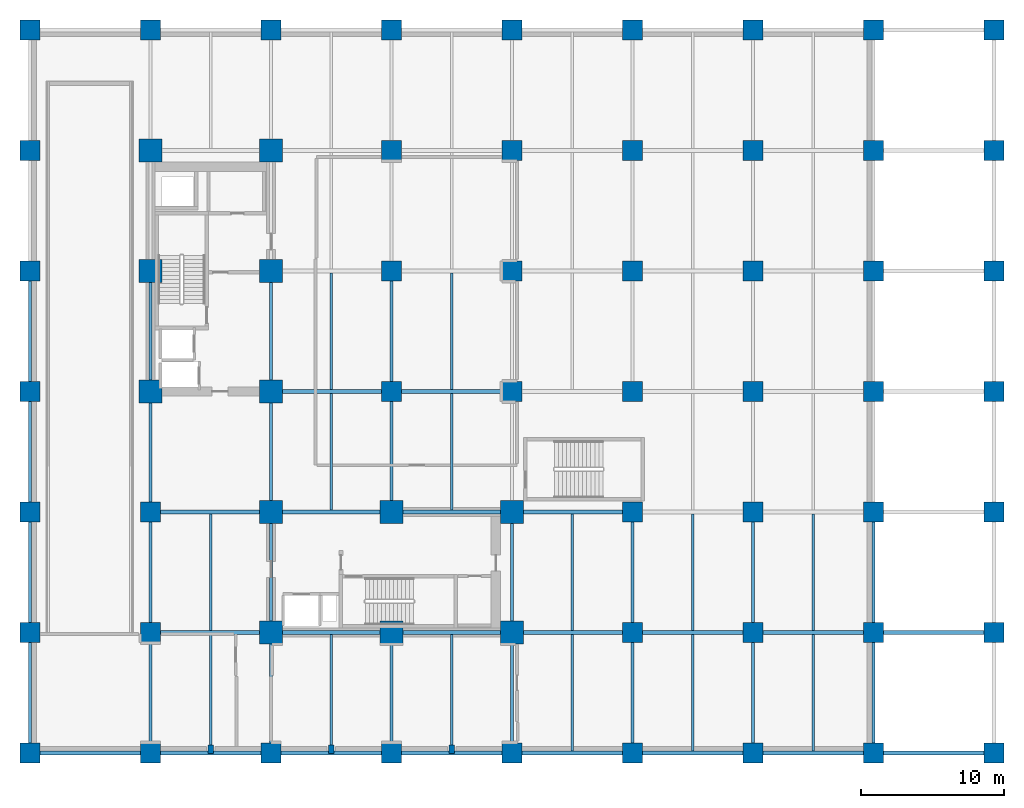
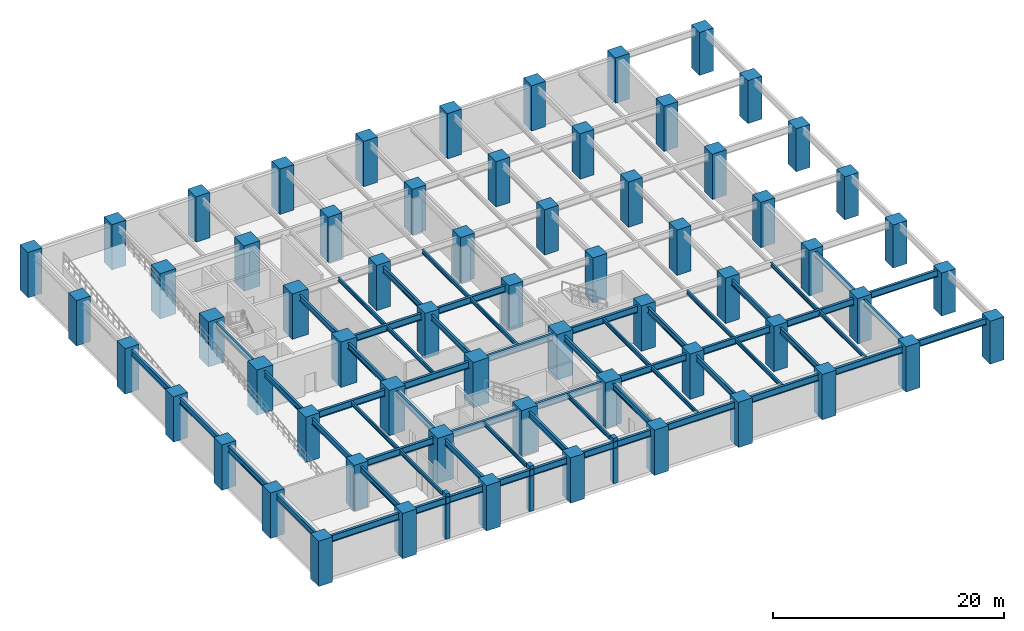
# One storey, part 1 of 7: 66 columns, 58 beams.
"""IFC4 building model written with IfcOpenShell, lengths in metres."""

import ifcopenshell
import ifcopenshell.guid

model = None  # the IFC model being written
_history = None  # IfcOwnerHistory: only IFC2X3 demands one
_inside = {}  # id of a spatial element -> (the spatial element, [elements in it])
_under = {}  # id of a project, library or spatial element -> (it, [spatial elements below it])
_declared = {}  # id of a project -> (the project, [libraries it declares])
_typed = {}  # id of a type object -> (the type object, [elements of that type])
_made_of = {}  # id of a material, layer set ... -> (it, [elements and type objects made of it])


def new_model(schema):
    """Start an empty IFC model of exactly this schema.

    Asked for "IFC4X3", IfcOpenShell would pick the latest addendum, in which some entities
    have other attributes; the version numbers below select the first issue.
    IFC2X3 requires an IfcOwnerHistory on every rooted entity: one is made here for all.
    """
    global model, _history
    if schema == "IFC4X3":
        model = ifcopenshell.file(schema_version=(4, 3, 0, 0))
    else:
        model = ifcopenshell.file(schema=schema)
    _inside.clear()
    _under.clear()
    _declared.clear()
    _typed.clear()
    _made_of.clear()
    _history = None
    if model.schema == "IFC2X3":
        org = make("IfcOrganization", Name="unknown")
        user = make(
            "IfcPersonAndOrganization",
            ThePerson=make("IfcPerson", FamilyName="unknown"),
            TheOrganization=org,
        )
        app = make(
            "IfcApplication",
            ApplicationDeveloper=org,
            Version="unknown",
            ApplicationFullName="unknown",
            ApplicationIdentifier="unknown",
        )
        _history = make(
            "IfcOwnerHistory",
            OwningUser=user,
            OwningApplication=app,
            ChangeAction="ADDED",
            CreationDate=0,
        )
    return model


def make(cls, **values):
    """One entity of the class cls with the attributes given. An attribute that is None is left unset."""
    return model.create_entity(
        cls, **{name: value for name, value in values.items() if value is not None}
    )


def rooted(cls, **values):
    """An entity with a GlobalId (a new one), such as an element, a storey or a relation."""
    return make(cls, GlobalId=ifcopenshell.guid.new(), OwnerHistory=_history, **values)


def si_unit(unit_type, name, prefix=None):
    """IfcSIUnit, for example si_unit("LENGTHUNIT", "METRE", prefix="MILLI")."""
    return make("IfcSIUnit", UnitType=unit_type, Prefix=prefix, Name=name)


def assignment(units):
    """IfcUnitAssignment: the units of a project."""
    return None if units is None else make("IfcUnitAssignment", Units=units)


def point(xyz):
    """IfcCartesianPoint."""
    return None if xyz is None else make("IfcCartesianPoint", Coordinates=xyz)


def direction(xyz):
    """IfcDirection."""
    return None if xyz is None else make("IfcDirection", DirectionRatios=xyz)


def frame(location, z_axis=None, x_axis=None):
    """IfcAxis2Placement3D, a coordinate frame: its origin and axes. An axis left out is left unset."""
    return make(
        "IfcAxis2Placement3D",
        Location=point(location),
        Axis=direction(z_axis),
        RefDirection=direction(x_axis),
    )


def frame_2d(location, x_axis=None):
    """IfcAxis2Placement2D, a coordinate frame in the plane: its origin and x axis."""
    return make(
        "IfcAxis2Placement2D", Location=point(location), RefDirection=direction(x_axis)
    )


def origin():
    """The frame at (0, 0, 0) with its axes left unset."""
    return frame((0.0, 0.0, 0.0))


def origin_2d():
    """The frame at (0, 0) in the plane with its x axis left unset."""
    return frame_2d((0.0, 0.0))


def place(relative_to, where):
    """IfcLocalPlacement: puts the frame where relative to a parent placement (None: the world)."""
    return make(
        "IfcLocalPlacement", PlacementRelTo=relative_to, RelativePlacement=where
    )


def context(
    kind, dimensions, precision=None, world=None, true_north=None, identifier=None
):
    """IfcGeometricRepresentationContext, for example the 3D "Model" context."""
    return make(
        "IfcGeometricRepresentationContext",
        ContextIdentifier=identifier,
        ContextType=kind,
        CoordinateSpaceDimension=dimensions,
        Precision=precision,
        WorldCoordinateSystem=world,
        TrueNorth=true_north,
    )


def subcontext(parent, identifier, kind, view, scale=None):
    """IfcGeometricRepresentationSubContext, for example "Body" below "Model"."""
    return make(
        "IfcGeometricRepresentationSubContext",
        ContextIdentifier=identifier,
        ContextType=kind,
        ParentContext=parent,
        TargetScale=scale,
        TargetView=view,
    )


def project(units=None, contexts=None):
    """IfcProject with its units and contexts."""
    return rooted(
        "IfcProject",
        Name="project",
        RepresentationContexts=contexts,
        UnitsInContext=assignment(units),
    )


def spatial(cls, under=None, at=None, **own):
    """A site, building, storey or space (cls), placed at a placement, below another one or the project."""
    s = rooted(cls, ObjectPlacement=at, **own)
    if under is not None:
        _under.setdefault(under.id(), (under, []))[1].append(s)
    return s


def profile(cls, at=None, kind="AREA", **sizes):
    """A parametric profile (cls). Its sizes go by their IFC names, for example OverallWidth=200.0."""
    return make(cls, ProfileType=kind, Position=at, **sizes)


def rectangle(**sizes):
    """IfcRectangleProfileDef."""
    return profile("IfcRectangleProfileDef", **sizes)


def i_section(**sizes):
    """IfcIShapeProfileDef."""
    return profile("IfcIShapeProfileDef", **sizes)


def extrude(swept, where, along, depth):
    """IfcExtrudedAreaSolid: the profile swept, set in the frame where, extruded along a direction by depth."""
    return make(
        "IfcExtrudedAreaSolid",
        SweptArea=swept,
        Position=where,
        ExtrudedDirection=direction(along),
        Depth=depth,
    )


def shape(context_of_items, identifier, shape_type, items):
    """IfcShapeRepresentation: the items that make up one representation, for example the "Body"."""
    return make(
        "IfcShapeRepresentation",
        ContextOfItems=context_of_items,
        RepresentationIdentifier=identifier,
        RepresentationType=shape_type,
        Items=items,
    )


def material(Name=None, Category=None):
    """IfcMaterial."""
    return make("IfcMaterial", Name=Name, Category=Category)


def material_profile(
    of_material, cross_section, Name=None, Category=None, Priority=None
):
    """IfcMaterialProfile: a cross section and its material."""
    return make(
        "IfcMaterialProfile",
        Name=Name,
        Material=of_material,
        Profile=cross_section,
        Priority=Priority,
        Category=Category,
    )


def profile_set(profiles, Name=None, composite=None):
    """IfcMaterialProfileSet."""
    return make(
        "IfcMaterialProfileSet",
        Name=Name,
        MaterialProfiles=profiles,
        CompositeProfile=composite,
    )


def made_of(thing, what):
    """Note that an element or type object is made of a material, layer set ...; save() writes the relation."""
    if what is not None:
        _made_of.setdefault(what.id(), (what, []))[1].append(thing)
    return thing


def type_object(cls, material=None, **own):
    """A type object (cls), such as IfcWallType, which elements share."""
    return made_of(rooted(cls, **own), material)


def element(
    cls,
    number,
    at=None,
    inside=None,
    cuts=None,
    type_object=None,
    material=None,
    context=None,
    identifier="Body",
    shape_type=None,
    held_by="IfcProductDefinitionShape",
    body=None,
    shapes=None,
    **own,
):
    """One element of the class cls, such as IfcWall. Its Tag is "e" and its number.

    at: its placement. inside: the storey or other place that contains it. cuts: it is an
    opening in that element (IfcRelVoidsElement). A single representation is given by context,
    identifier, shape_type and body (its items); several are given by shapes. held_by: the class
    of the entity that holds the representations. save() writes the other relations.
    """
    e = rooted(cls, Tag="e%d" % number, ObjectPlacement=at, **own)
    if body is not None:
        shapes = [shape(context, identifier, shape_type, body)]
    if shapes is not None:
        e.Representation = make(held_by, Representations=shapes)
    if inside is not None:
        _inside.setdefault(inside.id(), (inside, []))[1].append(e)
    if cuts is not None:
        rooted(
            "IfcRelVoidsElement", RelatingBuildingElement=cuts, RelatedOpeningElement=e
        )
    if type_object is not None:
        _typed.setdefault(type_object.id(), (type_object, []))[1].append(e)
    return made_of(e, material)


def aggregate(whole, parts):
    """IfcRelAggregates: a whole, such as a stair, and the parts it consists of."""
    return rooted("IfcRelAggregates", RelatingObject=whole, RelatedObjects=parts)


def save(model, path):
    """Write the relations noted so far, then the file.

    IfcRelAggregates (storeys below a building ...), IfcRelContainedInSpatialStructure (elements
    in a storey), IfcRelDefinesByType, IfcRelAssociatesMaterial and IfcRelDeclares: one each for
    every whole, place, type object, material and project.
    """
    for whole, parts in _under.values():
        aggregate(whole, parts)
    for where, things in _inside.values():
        rooted(
            "IfcRelContainedInSpatialStructure",
            RelatedElements=things,
            RelatingStructure=where,
        )
    for kind, things in _typed.values():
        rooted("IfcRelDefinesByType", RelatedObjects=things, RelatingType=kind)
    for what, things in _made_of.values():
        rooted("IfcRelAssociatesMaterial", RelatedObjects=things, RelatingMaterial=what)
    for by, libraries in _declared.values():
        rooted("IfcRelDeclares", RelatingContext=by, RelatedDefinitions=libraries)
    model.write(path)


model = new_model("IFC4")

# Units and contexts
model_context = context("Model", 3, precision=1e-05, world=origin(), true_north=direction((0.0, 1.0)))
body_context = subcontext(model_context, "Body", "Model", "MODEL_VIEW")
ifc_project = project(units=[si_unit("LENGTHUNIT", "METRE"), si_unit("AREAUNIT", "SQUARE_METRE"), si_unit("VOLUMEUNIT", "CUBIC_METRE"), si_unit("PLANEANGLEUNIT", "RADIAN"), si_unit("MASSUNIT", "GRAM", prefix="KILO")], contexts=[model_context])

# Site, building, storey
site_placement = place(None, origin())
site = spatial("IfcSite", under=ifc_project, at=site_placement, CompositionType="ELEMENT")
building_placement = place(site_placement, origin())
building = spatial("IfcBuilding", under=site, at=building_placement, Name="Nerrivon Quay Data Exchange", CompositionType="ELEMENT")
storey_placement = place(building_placement, frame((0.0, 0.0, -4.800048828125)))
storey = spatial("IfcBuildingStorey", under=building, at=storey_placement, Name="B01", CompositionType="ELEMENT", Elevation=-4.800048828125)

# Columns
ifc_material_1 = material(Name="Concrete N80 (80 MPa)", Category="concrete")
ifc_material_profile_1 = material_profile(ifc_material_1, rectangle(XDim=1.60009765625, YDim=1.60009765625, at=origin_2d()), Name="RC-COL-1600x1600")
ifc_profile_set_1 = profile_set([ifc_material_profile_1], Name="Concrete N80 (80 MPa)")
column_type_1 = type_object("IfcColumnType", Name="COL-C1-1600", PredefinedType="COLUMN", material=ifc_profile_set_1)
for number, where, z_axis, x_axis, name in (
    (1, (8.39990234375, 25.199951171875, 0.0), (0.0, 0.0, 1.0), (1.0, 0.0, 0.0), "B01 Column (8.4,25.2)"),
    (2, (8.39990234375, 33.60009765625, 0.0), (0.0, 0.0, 1.0), (1.0, 0.0, 0.0), "B01 Column (8.4,33.6)"),
    (3, (8.39990234375, 42.0, 0.0), (0.0, 0.0, 1.0), (1.0, 0.0, 0.0), "B01 Column (8.4,42.0)"),
    (4, (16.800048828125, 8.39990234375, 0.0), (0.0, 0.0, 1.0), (1.0, 0.0, 0.0), "B01 Column (16.8,8.4)"),
    (5, (16.800048828125, 16.800048828125, 0.0), (0.0, 0.0, 1.0), (1.0, 0.0, 0.0), "B01 Column (16.8,16.8)"),
    (6, (16.800048828125, 25.199951171875, 0.0), (0.0, 0.0, 1.0), (1.0, 0.0, 0.0), "B01 Column (16.8,25.2)"),
    (7, (16.800048828125, 33.60009765625, 0.0), (0.0, 0.0, 1.0), (1.0, 0.0, 0.0), "B01 Column (16.8,33.6)"),
    (8, (16.800048828125, 42.0, 0.0), (0.0, 0.0, 1.0), (1.0, 0.0, 0.0), "B01 Column (16.8,42.0)"),
    (9, (25.199951171875, 8.39990234375, 0.0), (0.0, 0.0, 1.0), (1.0, 0.0, 0.0), "B01 Column (25.2,8.4)"),
    (10, (25.199951171875, 16.800048828125, 0.0), (0.0, 0.0, 1.0), (1.0, 0.0, 0.0), "B01 Column (25.2,16.8)"),
    (11, (33.60009765625, 8.39990234375, 0.0), (0.0, 0.0, 1.0), (1.0, 0.0, 0.0), "B01 Column (33.6,8.4)"),
    (12, (33.60009765625, 16.800048828125, 0.0), (0.0, 0.0, 1.0), (1.0, 0.0, 0.0), "B01 Column (33.6,16.8)"),
):
    element("IfcColumn", number, at=place(storey_placement, frame(where, z_axis=z_axis, x_axis=x_axis)), inside=storey, type_object=column_type_1, Name=name, PredefinedType="COLUMN", context=body_context, shape_type="SweptSolid", body=[
        extrude(rectangle(XDim=1.60009765625, YDim=1.60009765625, at=origin_2d()), origin(), (0.0, 0.0, 1.0), 4.800048828125),
    ])
ifc_material_profile_2 = material_profile(ifc_material_1, rectangle(XDim=1.39990234375, YDim=1.39990234375, at=origin_2d()), Name="RC-COL-1400x1400")
ifc_profile_set_2 = profile_set([ifc_material_profile_2], Name="Concrete N80 (80 MPa)")
column_type_2 = type_object("IfcColumnType", Name="COL-C2-1400", PredefinedType="COLUMN", material=ifc_profile_set_2)
for number, where, z_axis, x_axis, name in (
    (13, (0.0, 0.0, 0.0), (0.0, 0.0, 1.0), (1.0, 0.0, 0.0), "B01 Column (0.0,0.0)"),
    (14, (0.0, 8.39990234375, 0.0), (0.0, 0.0, 1.0), (1.0, 0.0, 0.0), "B01 Column (0.0,8.4)"),
    (15, (0.0, 16.800048828125, 0.0), (0.0, 0.0, 1.0), (1.0, 0.0, 0.0), "B01 Column (0.0,16.8)"),
    (16, (0.0, 25.199951171875, 0.0), (0.0, 0.0, 1.0), (1.0, 0.0, 0.0), "B01 Column (0.0,25.2)"),
    (17, (0.0, 33.60009765625, 0.0), (0.0, 0.0, 1.0), (1.0, 0.0, 0.0), "B01 Column (0.0,33.6)"),
    (18, (0.0, 42.0, 0.0), (0.0, 0.0, 1.0), (1.0, 0.0, 0.0), "B01 Column (0.0,42.0)"),
    (19, (0.0, 50.39990234375, 0.0), (0.0, 0.0, 1.0), (1.0, 0.0, 0.0), "B01 Column (0.0,50.4)"),
    (20, (8.39990234375, 0.0, 0.0), (0.0, 0.0, 1.0), (1.0, 0.0, 0.0), "B01 Column (8.4,0.0)"),
    (21, (8.39990234375, 8.39990234375, 0.0), (0.0, 0.0, 1.0), (1.0, 0.0, 0.0), "B01 Column (8.4,8.4)"),
    (22, (8.39990234375, 16.800048828125, 0.0), (0.0, 0.0, 1.0), (1.0, 0.0, 0.0), "B01 Column (8.4,16.8)"),
    (23, (8.39990234375, 50.39990234375, 0.0), (0.0, 0.0, 1.0), (1.0, 0.0, 0.0), "B01 Column (8.4,50.4)"),
    (24, (16.800048828125, 0.0, 0.0), (0.0, 0.0, 1.0), (1.0, 0.0, 0.0), "B01 Column (16.8,0.0)"),
    (25, (16.800048828125, 50.39990234375, 0.0), (0.0, 0.0, 1.0), (1.0, 0.0, 0.0), "B01 Column (16.8,50.4)"),
    (26, (25.199951171875, 0.0, 0.0), (0.0, 0.0, 1.0), (1.0, 0.0, 0.0), "B01 Column (25.2,0.0)"),
    (27, (25.199951171875, 25.199951171875, 0.0), (0.0, 0.0, 1.0), (1.0, 0.0, 0.0), "B01 Column (25.2,25.2)"),
    (28, (25.199951171875, 33.60009765625, 0.0), (0.0, 0.0, 1.0), (1.0, 0.0, 0.0), "B01 Column (25.2,33.6)"),
    (29, (25.199951171875, 42.0, 0.0), (0.0, 0.0, 1.0), (1.0, 0.0, 0.0), "B01 Column (25.2,42.0)"),
    (30, (25.199951171875, 50.39990234375, 0.0), (0.0, 0.0, 1.0), (1.0, 0.0, 0.0), "B01 Column (25.2,50.4)"),
    (31, (33.60009765625, 0.0, 0.0), (0.0, 0.0, 1.0), (1.0, 0.0, 0.0), "B01 Column (33.6,0.0)"),
    (32, (33.60009765625, 25.199951171875, 0.0), (0.0, 0.0, 1.0), (1.0, 0.0, 0.0), "B01 Column (33.6,25.2)"),
    (33, (33.60009765625, 33.60009765625, 0.0), (0.0, 0.0, 1.0), (1.0, 0.0, 0.0), "B01 Column (33.6,33.6)"),
    (34, (33.60009765625, 42.0, 0.0), (0.0, 0.0, 1.0), (1.0, 0.0, 0.0), "B01 Column (33.6,42.0)"),
    (35, (33.60009765625, 50.39990234375, 0.0), (0.0, 0.0, 1.0), (1.0, 0.0, 0.0), "B01 Column (33.6,50.4)"),
    (36, (42.0, 0.0, 0.0), (0.0, 0.0, 1.0), (1.0, 0.0, 0.0), "B01 Column (42.0,0.0)"),
    (37, (42.0, 8.39990234375, 0.0), (0.0, 0.0, 1.0), (1.0, 0.0, 0.0), "B01 Column (42.0,8.4)"),
    (38, (42.0, 16.800048828125, 0.0), (0.0, 0.0, 1.0), (1.0, 0.0, 0.0), "B01 Column (42.0,16.8)"),
    (39, (42.0, 25.199951171875, 0.0), (0.0, 0.0, 1.0), (1.0, 0.0, 0.0), "B01 Column (42.0,25.2)"),
    (40, (42.0, 33.60009765625, 0.0), (0.0, 0.0, 1.0), (1.0, 0.0, 0.0), "B01 Column (42.0,33.6)"),
    (41, (42.0, 42.0, 0.0), (0.0, 0.0, 1.0), (1.0, 0.0, 0.0), "B01 Column (42.0,42.0)"),
    (42, (42.0, 50.39990234375, 0.0), (0.0, 0.0, 1.0), (1.0, 0.0, 0.0), "B01 Column (42.0,50.4)"),
    (43, (50.39990234375, 0.0, 0.0), (0.0, 0.0, 1.0), (1.0, 0.0, 0.0), "B01 Column (50.4,0.0)"),
    (44, (50.39990234375, 8.39990234375, 0.0), (0.0, 0.0, 1.0), (1.0, 0.0, 0.0), "B01 Column (50.4,8.4)"),
    (45, (50.39990234375, 16.800048828125, 0.0), (0.0, 0.0, 1.0), (1.0, 0.0, 0.0), "B01 Column (50.4,16.8)"),
    (46, (50.39990234375, 25.199951171875, 0.0), (0.0, 0.0, 1.0), (1.0, 0.0, 0.0), "B01 Column (50.4,25.2)"),
    (47, (50.39990234375, 33.60009765625, 0.0), (0.0, 0.0, 1.0), (1.0, 0.0, 0.0), "B01 Column (50.4,33.6)"),
    (48, (50.39990234375, 42.0, 0.0), (0.0, 0.0, 1.0), (1.0, 0.0, 0.0), "B01 Column (50.4,42.0)"),
    (49, (50.39990234375, 50.39990234375, 0.0), (0.0, 0.0, 1.0), (1.0, 0.0, 0.0), "B01 Column (50.4,50.4)"),
    (50, (58.800048828125, 0.0, 0.0), (0.0, 0.0, 1.0), (1.0, 0.0, 0.0), "B01 Column (58.8,0.0)"),
    (51, (58.800048828125, 8.39990234375, 0.0), (0.0, 0.0, 1.0), (1.0, 0.0, 0.0), "B01 Column (58.8,8.4)"),
    (52, (58.800048828125, 16.800048828125, 0.0), (0.0, 0.0, 1.0), (1.0, 0.0, 0.0), "B01 Column (58.8,16.8)"),
    (53, (58.800048828125, 25.199951171875, 0.0), (0.0, 0.0, 1.0), (1.0, 0.0, 0.0), "B01 Column (58.8,25.2)"),
    (54, (58.800048828125, 33.60009765625, 0.0), (0.0, 0.0, 1.0), (1.0, 0.0, 0.0), "B01 Column (58.8,33.6)"),
    (55, (58.800048828125, 42.0, 0.0), (0.0, 0.0, 1.0), (1.0, 0.0, 0.0), "B01 Column (58.8,42.0)"),
    (56, (58.800048828125, 50.39990234375, 0.0), (0.0, 0.0, 1.0), (1.0, 0.0, 0.0), "B01 Column (58.8,50.4)"),
):
    element("IfcColumn", number, at=place(storey_placement, frame(where, z_axis=z_axis, x_axis=x_axis)), inside=storey, type_object=column_type_2, Name=name, PredefinedType="COLUMN", context=body_context, shape_type="SweptSolid", body=[
        extrude(rectangle(XDim=1.39990234375, YDim=1.39990234375, at=origin_2d()), origin(), (0.0, 0.0, 1.0), 4.800048828125),
    ])
for number, where, z_axis, x_axis, name in (
    (57, (67.199951171875, 0.0, 0.0), (0.0, 0.0, 1.0), (1.0, 0.0, 0.0), "B01 Promenade Edge Column (67.2,0.0)"),
    (58, (67.199951171875, 8.39990234375, 0.0), (0.0, 0.0, 1.0), (1.0, 0.0, 0.0), "B01 Promenade Edge Column (67.2,8.4)"),
    (59, (67.199951171875, 16.800048828125, 0.0), (0.0, 0.0, 1.0), (1.0, 0.0, 0.0), "B01 Promenade Edge Column (67.2,16.8)"),
    (60, (67.199951171875, 25.199951171875, 0.0), (0.0, 0.0, 1.0), (1.0, 0.0, 0.0), "B01 Promenade Edge Column (67.2,25.2)"),
    (61, (67.199951171875, 33.60009765625, 0.0), (0.0, 0.0, 1.0), (1.0, 0.0, 0.0), "B01 Promenade Edge Column (67.2,33.6)"),
    (62, (67.199951171875, 42.0, 0.0), (0.0, 0.0, 1.0), (1.0, 0.0, 0.0), "B01 Promenade Edge Column (67.2,42.0)"),
    (63, (67.199951171875, 50.39990234375, 0.0), (0.0, 0.0, 1.0), (1.0, 0.0, 0.0), "B01 Promenade Edge Column (67.2,50.4)"),
):
    element("IfcColumn", number, at=place(storey_placement, frame(where, z_axis=z_axis, x_axis=x_axis)), inside=storey, type_object=column_type_2, Name=name, PredefinedType="COLUMN", context=body_context, shape_type="SweptSolid", body=[
        extrude(rectangle(XDim=1.39990234375, YDim=1.39990234375, at=origin_2d()), origin(), (0.0, 0.0, 1.0), 4.550048828125),
    ])
ifc_material_2 = material(Name="Concrete S65 (65 MPa)", Category="concrete")
ifc_material_profile_3 = material_profile(ifc_material_2, rectangle(XDim=0.39990234375, YDim=0.60009765625, at=origin_2d()), Name="RC-PIL-600x400")
ifc_profile_set_3 = profile_set([ifc_material_profile_3], Name="Concrete S65 (65 MPa)")
column_type_3 = type_object("IfcColumnType", Name="PIL-P1-600x400", PredefinedType="PILASTER", material=ifc_profile_set_3)
for number, where, z_axis, x_axis, name in (
    (64, (12.60009765625, 0.25, 0.0), (0.0, 0.0, 1.0), (1.0, 0.0, 0.0), "B01 Facade Pilaster (12.6)"),
    (65, (21.0, 0.25, 0.0), (0.0, 0.0, 1.0), (1.0, 0.0, 0.0), "B01 Facade Pilaster (21.0)"),
    (66, (29.39990234375, 0.25, 0.0), (0.0, 0.0, 1.0), (1.0, 0.0, 0.0), "B01 Facade Pilaster (29.4)"),
):
    element("IfcColumn", number, at=place(storey_placement, frame(where, z_axis=z_axis, x_axis=x_axis)), inside=storey, type_object=column_type_3, Name=name, PredefinedType="PILASTER", context=body_context, shape_type="SweptSolid", body=[
        extrude(rectangle(XDim=0.39990234375, YDim=0.60009765625, at=origin_2d()), origin(), (0.0, 0.0, 1.0), 4.800048828125),
    ])

# Beams
ifc_material_3 = material(Name="Steel Grade 350", Category="steel")
ifc_material_profile_4 = material_profile(ifc_material_3, i_section(OverallWidth=0.22900390625, OverallDepth=0.612060546875, WebThickness=0.011962890625, FlangeThickness=0.01953125, FilletRadius=0.013916015625, at=origin_2d()), Name="610UB125")
ifc_profile_set_4 = profile_set([ifc_material_profile_4], Name="Steel Grade 350")
beam_type_1 = type_object("IfcBeamType", Name="BM-G1-610UB125", PredefinedType="BEAM", material=ifc_profile_set_4)
for number, where, z_axis, x_axis, name in (
    (67, (0.0, 0.5400390625, 4.174072265625), (0.0, 1.0, 0.0), (-1.0, 0.0, 0.0), "B01 NS Girder X=0.0 (0.0..8.4)"),
    (68, (0.0, 8.93994140625, 4.174072265625), (0.0, 1.0, 0.0), (-1.0, 0.0, 0.0), "B01 NS Girder X=0.0 (8.4..16.8)"),
):
    element("IfcBeam", number, at=place(storey_placement, frame(where, z_axis=z_axis, x_axis=x_axis)), inside=storey, type_object=beam_type_1, Name=name, PredefinedType="BEAM", context=body_context, shape_type="SweptSolid", body=[
        extrude(i_section(OverallWidth=0.22900390625, OverallDepth=0.612060546875, WebThickness=0.011962890625, FlangeThickness=0.01953125, FilletRadius=0.013916015625, at=origin_2d()), origin(), (0.0, 0.0, 1.0), 7.320068359375),
    ])
beam_1_placement = place(storey_placement, frame((0.0, 17.340087890625, 4.174072265625), z_axis=(0.0, 1.0, 0.0), x_axis=(-1.0, 0.0, 0.0)))
element("IfcBeam", 69, at=beam_1_placement, inside=storey, type_object=beam_type_1, Name="B01 NS Girder X=0.0 (16.8..25.2)", PredefinedType="BEAM", context=body_context, shape_type="SweptSolid", body=[
    extrude(i_section(OverallWidth=0.22900390625, OverallDepth=0.612060546875, WebThickness=0.011962890625, FlangeThickness=0.01953125, FilletRadius=0.013916015625, at=origin_2d()), origin(), (0.0, 0.0, 1.0), 7.31982421875),
])
for number, where, z_axis, x_axis, name in (
    (70, (0.0, 25.739990234375, 4.174072265625), (0.0, 1.0, 0.0), (-1.0, 0.0, 0.0), "B01 NS Girder X=0.0 (25.2..33.6)"),
    (71, (8.39990234375, 0.5400390625, 4.174072265625), (0.0, 1.0, 0.0), (-1.0, 0.0, 0.0), "B01 NS Girder X=8.4 (0.0..8.4)"),
    (72, (8.39990234375, 8.93994140625, 4.174072265625), (0.0, 1.0, 0.0), (-1.0, 0.0, 0.0), "B01 NS Girder X=8.4 (8.4..16.8)"),
):
    element("IfcBeam", number, at=place(storey_placement, frame(where, z_axis=z_axis, x_axis=x_axis)), inside=storey, type_object=beam_type_1, Name=name, PredefinedType="BEAM", context=body_context, shape_type="SweptSolid", body=[
        extrude(i_section(OverallWidth=0.22900390625, OverallDepth=0.612060546875, WebThickness=0.011962890625, FlangeThickness=0.01953125, FilletRadius=0.013916015625, at=origin_2d()), origin(), (0.0, 0.0, 1.0), 7.320068359375),
    ])
beam_2_placement = place(storey_placement, frame((8.39990234375, 17.340087890625, 4.174072265625), z_axis=(0.0, 1.0, 0.0), x_axis=(-1.0, 0.0, 0.0)))
element("IfcBeam", 73, at=beam_2_placement, inside=storey, type_object=beam_type_1, Name="B01 NS Girder X=8.4 (16.8..25.2)", PredefinedType="BEAM", context=body_context, shape_type="SweptSolid", body=[
    extrude(i_section(OverallWidth=0.22900390625, OverallDepth=0.612060546875, WebThickness=0.011962890625, FlangeThickness=0.01953125, FilletRadius=0.013916015625, at=origin_2d()), origin(), (0.0, 0.0, 1.0), 7.31982421875),
])
for number, where, z_axis, x_axis, name in (
    (74, (8.39990234375, 25.739990234375, 4.174072265625), (0.0, 1.0, 0.0), (-1.0, 0.0, 0.0), "B01 NS Girder X=8.4 (25.2..33.6)"),
    (75, (16.800048828125, 0.5400390625, 4.174072265625), (0.0, 1.0, 0.0), (-1.0, 0.0, 0.0), "B01 NS Girder X=16.8 (0.0..8.4)"),
    (76, (16.800048828125, 8.93994140625, 4.174072265625), (0.0, 1.0, 0.0), (-1.0, 0.0, 0.0), "B01 NS Girder X=16.8 (8.4..16.8)"),
):
    element("IfcBeam", number, at=place(storey_placement, frame(where, z_axis=z_axis, x_axis=x_axis)), inside=storey, type_object=beam_type_1, Name=name, PredefinedType="BEAM", context=body_context, shape_type="SweptSolid", body=[
        extrude(i_section(OverallWidth=0.22900390625, OverallDepth=0.612060546875, WebThickness=0.011962890625, FlangeThickness=0.01953125, FilletRadius=0.013916015625, at=origin_2d()), origin(), (0.0, 0.0, 1.0), 7.320068359375),
    ])
beam_3_placement = place(storey_placement, frame((16.800048828125, 17.340087890625, 4.174072265625), z_axis=(0.0, 1.0, 0.0), x_axis=(-1.0, 0.0, 0.0)))
element("IfcBeam", 77, at=beam_3_placement, inside=storey, type_object=beam_type_1, Name="B01 NS Girder X=16.8 (16.8..25.2)", PredefinedType="BEAM", context=body_context, shape_type="SweptSolid", body=[
    extrude(i_section(OverallWidth=0.22900390625, OverallDepth=0.612060546875, WebThickness=0.011962890625, FlangeThickness=0.01953125, FilletRadius=0.013916015625, at=origin_2d()), origin(), (0.0, 0.0, 1.0), 7.31982421875),
])
for number, where, z_axis, x_axis, name in (
    (78, (16.800048828125, 25.739990234375, 4.174072265625), (0.0, 1.0, 0.0), (-1.0, 0.0, 0.0), "B01 NS Girder X=16.8 (25.2..33.6)"),
    (79, (25.199951171875, 0.5400390625, 4.174072265625), (0.0, 1.0, 0.0), (-1.0, 0.0, 0.0), "B01 NS Girder X=25.2 (0.0..8.4)"),
):
    element("IfcBeam", number, at=place(storey_placement, frame(where, z_axis=z_axis, x_axis=x_axis)), inside=storey, type_object=beam_type_1, Name=name, PredefinedType="BEAM", context=body_context, shape_type="SweptSolid", body=[
        extrude(i_section(OverallWidth=0.22900390625, OverallDepth=0.612060546875, WebThickness=0.011962890625, FlangeThickness=0.01953125, FilletRadius=0.013916015625, at=origin_2d()), origin(), (0.0, 0.0, 1.0), 7.320068359375),
    ])
beam_4_placement = place(storey_placement, frame((25.199951171875, 17.340087890625, 4.174072265625), z_axis=(0.0, 1.0, 0.0), x_axis=(-1.0, 0.0, 0.0)))
element("IfcBeam", 80, at=beam_4_placement, inside=storey, type_object=beam_type_1, Name="B01 NS Girder X=25.2 (16.8..25.2)", PredefinedType="BEAM", context=body_context, shape_type="SweptSolid", body=[
    extrude(i_section(OverallWidth=0.22900390625, OverallDepth=0.612060546875, WebThickness=0.011962890625, FlangeThickness=0.01953125, FilletRadius=0.013916015625, at=origin_2d()), origin(), (0.0, 0.0, 1.0), 7.31982421875),
])
for number, where, z_axis, x_axis, name in (
    (81, (25.199951171875, 25.739990234375, 4.174072265625), (0.0, 1.0, 0.0), (-1.0, 0.0, 0.0), "B01 NS Girder X=25.2 (25.2..33.6)"),
    (82, (33.60009765625, 0.5400390625, 4.174072265625), (0.0, 1.0, 0.0), (-1.0, 0.0, 0.0), "B01 NS Girder X=33.6 (0.0..8.4)"),
    (83, (33.60009765625, 8.93994140625, 4.174072265625), (0.0, 1.0, 0.0), (-1.0, 0.0, 0.0), "B01 NS Girder X=33.6 (8.4..16.8)"),
    (84, (42.0, 0.5400390625, 4.174072265625), (0.0, 1.0, 0.0), (-1.0, 0.0, 0.0), "B01 NS Girder X=42.0 (0.0..8.4)"),
    (85, (42.0, 8.93994140625, 4.174072265625), (0.0, 1.0, 0.0), (-1.0, 0.0, 0.0), "B01 NS Girder X=42.0 (8.4..16.8)"),
    (86, (50.39990234375, 0.5400390625, 4.174072265625), (0.0, 1.0, 0.0), (-1.0, 0.0, 0.0), "B01 NS Girder X=50.4 (0.0..8.4)"),
    (87, (50.39990234375, 8.93994140625, 4.174072265625), (0.0, 1.0, 0.0), (-1.0, 0.0, 0.0), "B01 NS Girder X=50.4 (8.4..16.8)"),
    (88, (58.800048828125, 0.5400390625, 4.174072265625), (0.0, 1.0, 0.0), (-1.0, 0.0, 0.0), "B01 NS Girder X=58.8 (0.0..8.4)"),
    (89, (58.800048828125, 8.93994140625, 4.174072265625), (0.0, 1.0, 0.0), (-1.0, 0.0, 0.0), "B01 NS Girder X=58.8 (8.4..16.8)"),
):
    element("IfcBeam", number, at=place(storey_placement, frame(where, z_axis=z_axis, x_axis=x_axis)), inside=storey, type_object=beam_type_1, Name=name, PredefinedType="BEAM", context=body_context, shape_type="SweptSolid", body=[
        extrude(i_section(OverallWidth=0.22900390625, OverallDepth=0.612060546875, WebThickness=0.011962890625, FlangeThickness=0.01953125, FilletRadius=0.013916015625, at=origin_2d()), origin(), (0.0, 0.0, 1.0), 7.320068359375),
    ])
ifc_material_profile_5 = material_profile(ifc_material_3, i_section(OverallWidth=0.25, OverallDepth=0.699951171875, WebThickness=0.010009765625, FlangeThickness=0.02001953125, at=origin_2d()), Name="700WB130")
ifc_profile_set_5 = profile_set([ifc_material_profile_5], Name="Steel Grade 350")
beam_type_2 = type_object("IfcBeamType", Name="BM-G7-700WB130", PredefinedType="BEAM", material=ifc_profile_set_5)
for number, where, z_axis, x_axis, name in (
    (90, (0.5400390625, 0.0, 4.130126953125), (1.0, 0.0, 0.0), (0.0, 1.0, 0.0), "B01 EW Girder Y=0.0 (0.0..8.4)"),
    (91, (8.93994140625, 0.0, 4.130126953125), (1.0, 0.0, 0.0), (0.0, 1.0, 0.0), "B01 EW Girder Y=0.0 (8.4..16.8)"),
):
    element("IfcBeam", number, at=place(storey_placement, frame(where, z_axis=z_axis, x_axis=x_axis)), inside=storey, type_object=beam_type_2, Name=name, PredefinedType="BEAM", context=body_context, shape_type="SweptSolid", body=[
        extrude(i_section(OverallWidth=0.25, OverallDepth=0.699951171875, WebThickness=0.010009765625, FlangeThickness=0.02001953125, at=origin_2d()), origin(), (0.0, 0.0, 1.0), 7.320068359375),
    ])
beam_5_placement = place(storey_placement, frame((17.340087890625, 0.0, 4.130126953125), z_axis=(1.0, 0.0, 0.0), x_axis=(0.0, 1.0, 0.0)))
element("IfcBeam", 92, at=beam_5_placement, inside=storey, type_object=beam_type_2, Name="B01 EW Girder Y=0.0 (16.8..25.2)", PredefinedType="BEAM", context=body_context, shape_type="SweptSolid", body=[
    extrude(i_section(OverallWidth=0.25, OverallDepth=0.699951171875, WebThickness=0.010009765625, FlangeThickness=0.02001953125, at=origin_2d()), origin(), (0.0, 0.0, 1.0), 7.31982421875),
])
for number, where, z_axis, x_axis, name in (
    (93, (25.739990234375, 0.0, 4.130126953125), (1.0, 0.0, 0.0), (0.0, 1.0, 0.0), "B01 EW Girder Y=0.0 (25.2..33.6)"),
    (94, (34.139892578125, 0.0, 4.130126953125), (1.0, 0.0, 0.0), (0.0, 1.0, 0.0), "B01 EW Girder Y=0.0 (33.6..42.0)"),
    (95, (42.5400390625, 0.0, 4.130126953125), (1.0, 0.0, 0.0), (0.0, 1.0, 0.0), "B01 EW Girder Y=0.0 (42.0..50.4)"),
    (96, (50.93994140625, 0.0, 4.130126953125), (1.0, 0.0, 0.0), (0.0, 1.0, 0.0), "B01 EW Girder Y=0.0 (50.4..58.8)"),
    (97, (8.93994140625, 8.39990234375, 4.130126953125), (1.0, 0.0, 0.0), (0.0, 1.0, 0.0), "B01 EW Girder Y=8.4 (8.4..16.8)"),
):
    element("IfcBeam", number, at=place(storey_placement, frame(where, z_axis=z_axis, x_axis=x_axis)), inside=storey, type_object=beam_type_2, Name=name, PredefinedType="BEAM", context=body_context, shape_type="SweptSolid", body=[
        extrude(i_section(OverallWidth=0.25, OverallDepth=0.699951171875, WebThickness=0.010009765625, FlangeThickness=0.02001953125, at=origin_2d()), origin(), (0.0, 0.0, 1.0), 7.320068359375),
    ])
beam_6_placement = place(storey_placement, frame((17.340087890625, 8.39990234375, 4.130126953125), z_axis=(1.0, 0.0, 0.0), x_axis=(0.0, 1.0, 0.0)))
element("IfcBeam", 98, at=beam_6_placement, inside=storey, type_object=beam_type_2, Name="B01 EW Girder Y=8.4 (16.8..25.2)", PredefinedType="BEAM", context=body_context, shape_type="SweptSolid", body=[
    extrude(i_section(OverallWidth=0.25, OverallDepth=0.699951171875, WebThickness=0.010009765625, FlangeThickness=0.02001953125, at=origin_2d()), origin(), (0.0, 0.0, 1.0), 7.31982421875),
])
for number, where, z_axis, x_axis, name in (
    (99, (25.739990234375, 8.39990234375, 4.130126953125), (1.0, 0.0, 0.0), (0.0, 1.0, 0.0), "B01 EW Girder Y=8.4 (25.2..33.6)"),
    (100, (34.139892578125, 8.39990234375, 4.130126953125), (1.0, 0.0, 0.0), (0.0, 1.0, 0.0), "B01 EW Girder Y=8.4 (33.6..42.0)"),
    (101, (42.5400390625, 8.39990234375, 4.130126953125), (1.0, 0.0, 0.0), (0.0, 1.0, 0.0), "B01 EW Girder Y=8.4 (42.0..50.4)"),
    (102, (50.93994140625, 8.39990234375, 4.130126953125), (1.0, 0.0, 0.0), (0.0, 1.0, 0.0), "B01 EW Girder Y=8.4 (50.4..58.8)"),
    (103, (8.93994140625, 16.800048828125, 4.130126953125), (1.0, 0.0, 0.0), (0.0, 1.0, 0.0), "B01 EW Girder Y=16.8 (8.4..16.8)"),
):
    element("IfcBeam", number, at=place(storey_placement, frame(where, z_axis=z_axis, x_axis=x_axis)), inside=storey, type_object=beam_type_2, Name=name, PredefinedType="BEAM", context=body_context, shape_type="SweptSolid", body=[
        extrude(i_section(OverallWidth=0.25, OverallDepth=0.699951171875, WebThickness=0.010009765625, FlangeThickness=0.02001953125, at=origin_2d()), origin(), (0.0, 0.0, 1.0), 7.320068359375),
    ])
beam_7_placement = place(storey_placement, frame((17.340087890625, 16.800048828125, 4.130126953125), z_axis=(1.0, 0.0, 0.0), x_axis=(0.0, 1.0, 0.0)))
element("IfcBeam", 104, at=beam_7_placement, inside=storey, type_object=beam_type_2, Name="B01 EW Girder Y=16.8 (16.8..25.2)", PredefinedType="BEAM", context=body_context, shape_type="SweptSolid", body=[
    extrude(i_section(OverallWidth=0.25, OverallDepth=0.699951171875, WebThickness=0.010009765625, FlangeThickness=0.02001953125, at=origin_2d()), origin(), (0.0, 0.0, 1.0), 7.31982421875),
])
for number, where, z_axis, x_axis, name in (
    (105, (25.739990234375, 16.800048828125, 4.130126953125), (1.0, 0.0, 0.0), (0.0, 1.0, 0.0), "B01 EW Girder Y=16.8 (25.2..33.6)"),
    (106, (34.139892578125, 16.800048828125, 4.130126953125), (1.0, 0.0, 0.0), (0.0, 1.0, 0.0), "B01 EW Girder Y=16.8 (33.6..42.0)"),
):
    element("IfcBeam", number, at=place(storey_placement, frame(where, z_axis=z_axis, x_axis=x_axis)), inside=storey, type_object=beam_type_2, Name=name, PredefinedType="BEAM", context=body_context, shape_type="SweptSolid", body=[
        extrude(i_section(OverallWidth=0.25, OverallDepth=0.699951171875, WebThickness=0.010009765625, FlangeThickness=0.02001953125, at=origin_2d()), origin(), (0.0, 0.0, 1.0), 7.320068359375),
    ])
beam_8_placement = place(storey_placement, frame((17.340087890625, 25.199951171875, 4.130126953125), z_axis=(1.0, 0.0, 0.0), x_axis=(0.0, 1.0, 0.0)))
element("IfcBeam", 107, at=beam_8_placement, inside=storey, type_object=beam_type_2, Name="B01 EW Girder Y=25.2 (16.8..25.2)", PredefinedType="BEAM", context=body_context, shape_type="SweptSolid", body=[
    extrude(i_section(OverallWidth=0.25, OverallDepth=0.699951171875, WebThickness=0.010009765625, FlangeThickness=0.02001953125, at=origin_2d()), origin(), (0.0, 0.0, 1.0), 7.31982421875),
])
beam_9_placement = place(storey_placement, frame((25.739990234375, 25.199951171875, 4.130126953125), z_axis=(1.0, 0.0, 0.0), x_axis=(0.0, 1.0, 0.0)))
element("IfcBeam", 108, at=beam_9_placement, inside=storey, type_object=beam_type_2, Name="B01 EW Girder Y=25.2 (25.2..33.6)", PredefinedType="BEAM", context=body_context, shape_type="SweptSolid", body=[
    extrude(i_section(OverallWidth=0.25, OverallDepth=0.699951171875, WebThickness=0.010009765625, FlangeThickness=0.02001953125, at=origin_2d()), origin(), (0.0, 0.0, 1.0), 7.320068359375),
])
for number, where, z_axis, x_axis, name in (
    (109, (59.340087890625, 0.0, 4.199951171875), (1.0, 0.0, 0.0), (0.0, 1.0, 0.0), "B01 Promenade Tie Girder Y=0.0"),
    (110, (59.340087890625, 8.39990234375, 4.199951171875), (1.0, 0.0, 0.0), (0.0, 1.0, 0.0), "B01 Promenade Tie Girder Y=8.4"),
):
    element("IfcBeam", number, at=place(storey_placement, frame(where, z_axis=z_axis, x_axis=x_axis)), inside=storey, type_object=beam_type_2, Name=name, PredefinedType="BEAM", context=body_context, shape_type="SweptSolid", body=[
        extrude(i_section(OverallWidth=0.25, OverallDepth=0.699951171875, WebThickness=0.010009765625, FlangeThickness=0.02001953125, at=origin_2d()), origin(), (0.0, 0.0, 1.0), 7.31982421875),
    ])
ifc_material_profile_6 = material_profile(ifc_material_3, i_section(OverallWidth=0.177978515625, OverallDepth=0.406005859375, WebThickness=0.0078125, FlangeThickness=0.0126953125, FilletRadius=0.011474609375, at=origin_2d()), Name="410UB59.7")
ifc_profile_set_6 = profile_set([ifc_material_profile_6], Name="Steel Grade 350")
beam_type_3 = type_object("IfcBeamType", Name="BM-J1-410UB60", PredefinedType="JOIST", material=ifc_profile_set_6)
beam_10_placement = place(storey_placement, frame((12.60009765625, 0.125, 4.277099609375), z_axis=(0.0, 1.0, 0.0), x_axis=(-1.0, 0.0, 0.0)))
element("IfcBeam", 111, at=beam_10_placement, inside=storey, type_object=beam_type_3, Name="B01 Secondary Joist X=12.6 (0.0..8.4)", PredefinedType="JOIST", context=body_context, shape_type="SweptSolid", body=[
    extrude(i_section(OverallWidth=0.177978515625, OverallDepth=0.406005859375, WebThickness=0.0078125, FlangeThickness=0.0126953125, FilletRadius=0.011474609375, at=origin_2d()), origin(), (0.0, 0.0, 1.0), 8.14990234375),
])
beam_11_placement = place(storey_placement, frame((12.60009765625, 8.52490234375, 4.277099609375), z_axis=(0.0, 1.0, 0.0), x_axis=(-1.0, 0.0, 0.0)))
element("IfcBeam", 112, at=beam_11_placement, inside=storey, type_object=beam_type_3, Name="B01 Secondary Joist X=12.6 (8.4..16.8)", PredefinedType="JOIST", context=body_context, shape_type="SweptSolid", body=[
    extrude(i_section(OverallWidth=0.177978515625, OverallDepth=0.406005859375, WebThickness=0.0078125, FlangeThickness=0.0126953125, FilletRadius=0.011474609375, at=origin_2d()), origin(), (0.0, 0.0, 1.0), 8.150146484375),
])
for number, where, z_axis, x_axis, name in (
    (113, (21.0, 0.125, 4.277099609375), (0.0, 1.0, 0.0), (-1.0, 0.0, 0.0), "B01 Secondary Joist X=21.0 (0.0..8.4)"),
    (114, (21.0, 16.925048828125, 4.277099609375), (0.0, 1.0, 0.0), (-1.0, 0.0, 0.0), "B01 Secondary Joist X=21.0 (16.8..25.2)"),
):
    element("IfcBeam", number, at=place(storey_placement, frame(where, z_axis=z_axis, x_axis=x_axis)), inside=storey, type_object=beam_type_3, Name=name, PredefinedType="JOIST", context=body_context, shape_type="SweptSolid", body=[
        extrude(i_section(OverallWidth=0.177978515625, OverallDepth=0.406005859375, WebThickness=0.0078125, FlangeThickness=0.0126953125, FilletRadius=0.011474609375, at=origin_2d()), origin(), (0.0, 0.0, 1.0), 8.14990234375),
    ])
beam_12_placement = place(storey_placement, frame((21.0, 25.324951171875, 4.277099609375), z_axis=(0.0, 1.0, 0.0), x_axis=(-1.0, 0.0, 0.0)))
element("IfcBeam", 115, at=beam_12_placement, inside=storey, type_object=beam_type_3, Name="B01 Secondary Joist X=21.0 (25.2..33.6)", PredefinedType="JOIST", context=body_context, shape_type="SweptSolid", body=[
    extrude(i_section(OverallWidth=0.177978515625, OverallDepth=0.406005859375, WebThickness=0.0078125, FlangeThickness=0.0126953125, FilletRadius=0.011474609375, at=origin_2d()), origin(), (0.0, 0.0, 1.0), 8.150146484375),
])
for number, where, z_axis, x_axis, name in (
    (116, (29.39990234375, 0.125, 4.277099609375), (0.0, 1.0, 0.0), (-1.0, 0.0, 0.0), "B01 Secondary Joist X=29.4 (0.0..8.4)"),
    (117, (29.39990234375, 16.925048828125, 4.277099609375), (0.0, 1.0, 0.0), (-1.0, 0.0, 0.0), "B01 Secondary Joist X=29.4 (16.8..25.2)"),
):
    element("IfcBeam", number, at=place(storey_placement, frame(where, z_axis=z_axis, x_axis=x_axis)), inside=storey, type_object=beam_type_3, Name=name, PredefinedType="JOIST", context=body_context, shape_type="SweptSolid", body=[
        extrude(i_section(OverallWidth=0.177978515625, OverallDepth=0.406005859375, WebThickness=0.0078125, FlangeThickness=0.0126953125, FilletRadius=0.011474609375, at=origin_2d()), origin(), (0.0, 0.0, 1.0), 8.14990234375),
    ])
beam_13_placement = place(storey_placement, frame((29.39990234375, 25.324951171875, 4.277099609375), z_axis=(0.0, 1.0, 0.0), x_axis=(-1.0, 0.0, 0.0)))
element("IfcBeam", 118, at=beam_13_placement, inside=storey, type_object=beam_type_3, Name="B01 Secondary Joist X=29.4 (25.2..33.6)", PredefinedType="JOIST", context=body_context, shape_type="SweptSolid", body=[
    extrude(i_section(OverallWidth=0.177978515625, OverallDepth=0.406005859375, WebThickness=0.0078125, FlangeThickness=0.0126953125, FilletRadius=0.011474609375, at=origin_2d()), origin(), (0.0, 0.0, 1.0), 8.150146484375),
])
beam_14_placement = place(storey_placement, frame((37.800048828125, 0.125, 4.277099609375), z_axis=(0.0, 1.0, 0.0), x_axis=(-1.0, 0.0, 0.0)))
element("IfcBeam", 119, at=beam_14_placement, inside=storey, type_object=beam_type_3, Name="B01 Secondary Joist X=37.8 (0.0..8.4)", PredefinedType="JOIST", context=body_context, shape_type="SweptSolid", body=[
    extrude(i_section(OverallWidth=0.177978515625, OverallDepth=0.406005859375, WebThickness=0.0078125, FlangeThickness=0.0126953125, FilletRadius=0.011474609375, at=origin_2d()), origin(), (0.0, 0.0, 1.0), 8.14990234375),
])
beam_15_placement = place(storey_placement, frame((37.800048828125, 8.52490234375, 4.277099609375), z_axis=(0.0, 1.0, 0.0), x_axis=(-1.0, 0.0, 0.0)))
element("IfcBeam", 120, at=beam_15_placement, inside=storey, type_object=beam_type_3, Name="B01 Secondary Joist X=37.8 (8.4..16.8)", PredefinedType="JOIST", context=body_context, shape_type="SweptSolid", body=[
    extrude(i_section(OverallWidth=0.177978515625, OverallDepth=0.406005859375, WebThickness=0.0078125, FlangeThickness=0.0126953125, FilletRadius=0.011474609375, at=origin_2d()), origin(), (0.0, 0.0, 1.0), 8.150146484375),
])
beam_16_placement = place(storey_placement, frame((46.199951171875, 0.125, 4.277099609375), z_axis=(0.0, 1.0, 0.0), x_axis=(-1.0, 0.0, 0.0)))
element("IfcBeam", 121, at=beam_16_placement, inside=storey, type_object=beam_type_3, Name="B01 Secondary Joist X=46.2 (0.0..8.4)", PredefinedType="JOIST", context=body_context, shape_type="SweptSolid", body=[
    extrude(i_section(OverallWidth=0.177978515625, OverallDepth=0.406005859375, WebThickness=0.0078125, FlangeThickness=0.0126953125, FilletRadius=0.011474609375, at=origin_2d()), origin(), (0.0, 0.0, 1.0), 8.14990234375),
])
beam_17_placement = place(storey_placement, frame((46.199951171875, 8.52490234375, 4.277099609375), z_axis=(0.0, 1.0, 0.0), x_axis=(-1.0, 0.0, 0.0)))
element("IfcBeam", 122, at=beam_17_placement, inside=storey, type_object=beam_type_3, Name="B01 Secondary Joist X=46.2 (8.4..16.8)", PredefinedType="JOIST", context=body_context, shape_type="SweptSolid", body=[
    extrude(i_section(OverallWidth=0.177978515625, OverallDepth=0.406005859375, WebThickness=0.0078125, FlangeThickness=0.0126953125, FilletRadius=0.011474609375, at=origin_2d()), origin(), (0.0, 0.0, 1.0), 8.150146484375),
])
beam_18_placement = place(storey_placement, frame((54.60009765625, 0.125, 4.277099609375), z_axis=(0.0, 1.0, 0.0), x_axis=(-1.0, 0.0, 0.0)))
element("IfcBeam", 123, at=beam_18_placement, inside=storey, type_object=beam_type_3, Name="B01 Secondary Joist X=54.6 (0.0..8.4)", PredefinedType="JOIST", context=body_context, shape_type="SweptSolid", body=[
    extrude(i_section(OverallWidth=0.177978515625, OverallDepth=0.406005859375, WebThickness=0.0078125, FlangeThickness=0.0126953125, FilletRadius=0.011474609375, at=origin_2d()), origin(), (0.0, 0.0, 1.0), 8.14990234375),
])
beam_19_placement = place(storey_placement, frame((54.60009765625, 8.52490234375, 4.277099609375), z_axis=(0.0, 1.0, 0.0), x_axis=(-1.0, 0.0, 0.0)))
element("IfcBeam", 124, at=beam_19_placement, inside=storey, type_object=beam_type_3, Name="B01 Secondary Joist X=54.6 (8.4..16.8)", PredefinedType="JOIST", context=body_context, shape_type="SweptSolid", body=[
    extrude(i_section(OverallWidth=0.177978515625, OverallDepth=0.406005859375, WebThickness=0.0078125, FlangeThickness=0.0126953125, FilletRadius=0.011474609375, at=origin_2d()), origin(), (0.0, 0.0, 1.0), 8.150146484375),
])

save(model, "model.ifc")
